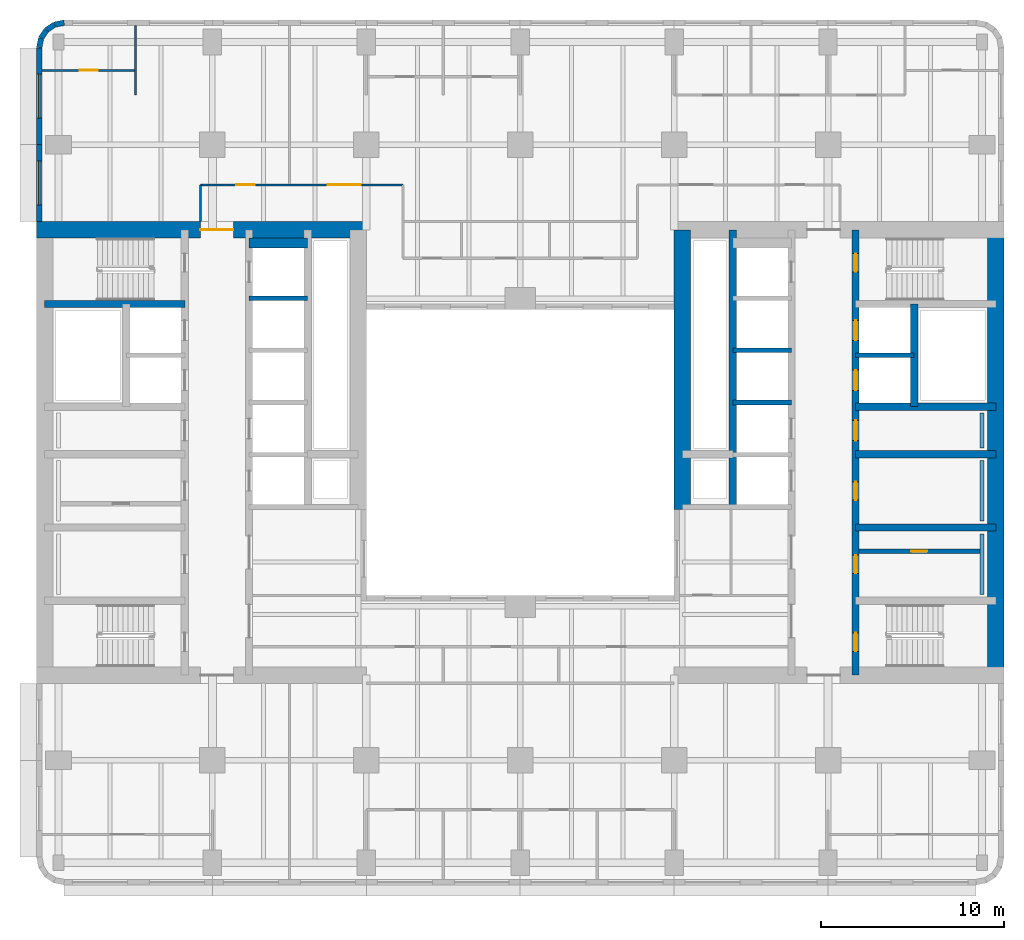
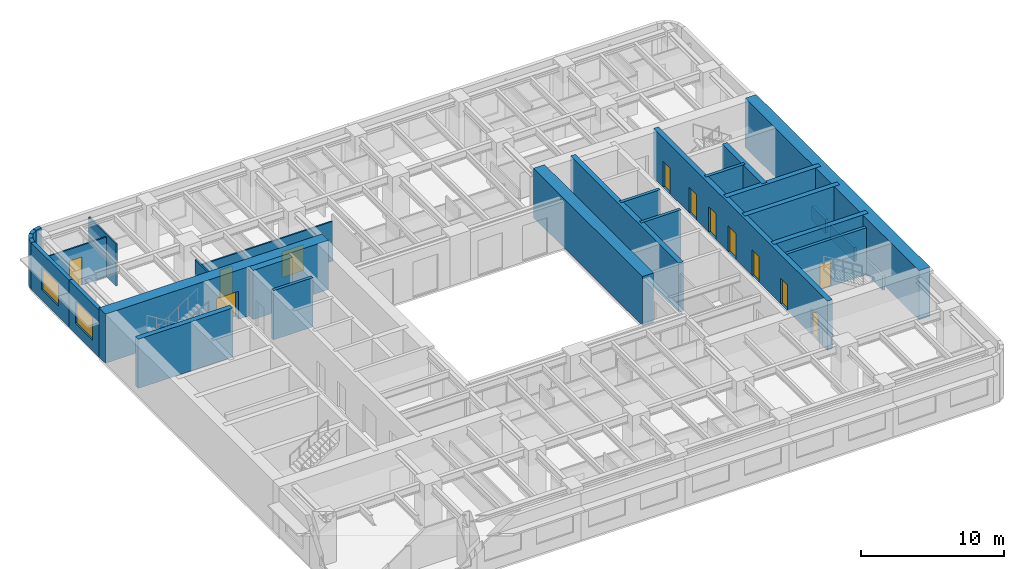
# One storey, part 6 of 11: 29 walls, 12 doors, 2 windows, 14 openings.
"""IFC4 building model written with IfcOpenShell, lengths in metres."""

from ifc_helpers import new_model, si_unit, direction, frame, frame_2d, origin, place, context, subcontext, project, spatial, rectangle, extrude, material, layer, layer_set, type_object, element, fill, save


model = new_model("IFC4")

# Units and contexts
model_context = context("Model", 3, precision=1e-05, world=origin(), true_north=direction((0.0, 1.0)))
body_context = subcontext(model_context, "Body", "Model", "MODEL_VIEW")
ifc_project = project(units=[si_unit("LENGTHUNIT", "METRE"), si_unit("AREAUNIT", "SQUARE_METRE"), si_unit("VOLUMEUNIT", "CUBIC_METRE"), si_unit("PLANEANGLEUNIT", "RADIAN"), si_unit("MASSUNIT", "GRAM", prefix="KILO")], contexts=[model_context])

# Site, building, storey
site_placement = place(None, origin())
site = spatial("IfcSite", under=ifc_project, at=site_placement, CompositionType="ELEMENT")
building_placement = place(site_placement, origin())
building = spatial("IfcBuilding", under=site, at=building_placement, Name="Claustro Exchange Tower", CompositionType="ELEMENT")
storey_placement = place(building_placement, frame((0.0, 0.0, 163.800048828125)))
storey = spatial("IfcBuildingStorey", under=building, at=storey_placement, Name="L37", CompositionType="ELEMENT", Elevation=163.800048828125)

# Wall, opening, door
ifc_material_1 = material(Name="Laminated glass in aluminium frame", Category="aluminium")
ifc_layer_1 = layer(ifc_material_1, 0.1201171875)
ifc_layer_set_1 = layer_set([ifc_layer_1], Name="Laminated glass in aluminium frame")
wall_type_1 = type_object("IfcWallType", Name="P2 120 glazed partition", PredefinedType="PARTITIONING", material=ifc_layer_set_1)
wall_1_placement = place(storey_placement, frame((-0.902099609375, 46.050048828125, 0.0), z_axis=(0.0, 0.0, 1.0), x_axis=(1.0, 0.0, 0.0)))
wall_1 = element("IfcWall", 1, at=wall_1_placement, inside=storey, type_object=wall_type_1, Name="Partition P2 L37", PredefinedType="PARTITIONING", context=body_context, shape_type="SweptSolid", body=[
    extrude(rectangle(XDim=5.044189453125, YDim=0.1201171875, at=frame_2d((2.52197265625, 0.0))), origin(), (0.0, 0.0, 1.0), 3.39990234375),
])
opening_1_placement = place(wall_1_placement, frame((2.052001953125, 0.0, 0.0)))
opening_1 = element("IfcOpeningElement", 2, at=opening_1_placement, cuts=wall_1, Name="Opening D7", PredefinedType="OPENING", context=body_context, shape_type="SweptSolid", body=[
    extrude(rectangle(XDim=1.0, YDim=2.39990234375, at=frame_2d((0.5, 1.199951171875))), frame((0.0, 0.070068359375, 0.0), z_axis=(0.0, -1.0, 0.0), x_axis=(1.0, 0.0, 0.0)), (0.0, 0.0, 1.0), 0.14013671875),
])
ifc_material_2 = material(Name="Glass door in aluminium frame", Category="aluminium")
door_type_1 = type_object("IfcDoorType", Name="D7 1000 x 2400 glazed door", OperationType="SINGLE_SWING_LEFT", PredefinedType="DOOR", material=ifc_material_2)
door_1_placement = place(opening_1_placement, origin())
door_1 = element("IfcDoor", 3, at=door_1_placement, inside=storey, type_object=door_type_1, Name="Door D7 L37", OperationType="SINGLE_SWING_RIGHT", OverallHeight=2.39990234375, OverallWidth=1.0, PredefinedType="DOOR", context=body_context, shape_type="SweptSolid", body=[
    extrude(rectangle(XDim=1.0, YDim=2.39990234375, at=frame_2d((0.5, 1.199951171875))), frame((0.0, 0.02490234375, 0.0), z_axis=(0.0, -1.0, 0.0), x_axis=(1.0, 0.0, 0.0)), (0.0, 0.0, 1.0), 0.050048828125),
])
fill(opening_1, door_1)

# Wall
wall_2_placement = place(storey_placement, frame((4.199951171875, 44.699951171875, 0.0), z_axis=(0.0, 0.0, 1.0), x_axis=(0.0, 1.0, 0.0)))
element("IfcWall", 4, at=wall_2_placement, inside=storey, type_object=wall_type_1, Name="Partition P2 L37", PredefinedType="PARTITIONING", context=body_context, shape_type="SweptSolid", body=[
    extrude(rectangle(XDim=3.802001953125, YDim=0.1201171875, at=frame_2d((1.90087890625, 0.0))), origin(), (0.0, 0.0, 1.0), 3.593017578125),
])

# Wall, openings, doors
wall_3_placement = place(storey_placement, frame((7.75, 39.800048828125, 0.0), z_axis=(0.0, 0.0, 1.0), x_axis=(1.0, 0.0, 0.0)))
wall_3 = element("IfcWall", 5, at=wall_3_placement, inside=storey, type_object=wall_type_1, Name="Partition P2 L37", PredefinedType="PARTITIONING", context=body_context, shape_type="SweptSolid", body=[
    extrude(rectangle(XDim=11.050048828125, YDim=0.1201171875, at=frame_2d((5.52490234375, 0.0))), origin(), (0.0, 0.0, 1.0), 3.39990234375),
])
opening_2_placement = place(wall_3_placement, frame((1.949951171875, 0.0, 0.0)))
opening_2 = element("IfcOpeningElement", 6, at=opening_2_placement, cuts=wall_3, Name="Opening D7", PredefinedType="OPENING", context=body_context, shape_type="SweptSolid", body=[
    extrude(rectangle(XDim=1.0, YDim=2.39990234375, at=frame_2d((0.5, 1.199951171875))), frame((0.0, 0.070068359375, 0.0), z_axis=(0.0, -1.0, 0.0), x_axis=(1.0, 0.0, 0.0)), (0.0, 0.0, 1.0), 0.14013671875),
])
opening_3_placement = place(wall_3_placement, frame((6.949951171875, 0.0, 0.0)))
opening_3 = element("IfcOpeningElement", 7, at=opening_3_placement, cuts=wall_3, Name="Opening D2", PredefinedType="OPENING", context=body_context, shape_type="SweptSolid", body=[
    extrude(rectangle(XDim=1.800048828125, YDim=2.199951171875, at=frame_2d((0.89990234375, 1.10009765625))), frame((0.0, 0.070068359375, 0.0), z_axis=(0.0, -1.0, 0.0), x_axis=(1.0, 0.0, 0.0)), (0.0, 0.0, 1.0), 0.14013671875),
])
ifc_material_3 = material(Name="Timber door, oak veneer", Category="wood")
door_type_2 = type_object("IfcDoorType", Name="D2 1800 x 2200 double door", OperationType="DOUBLE_DOOR_SINGLE_SWING", PredefinedType="DOOR", material=ifc_material_3)
door_2_placement = place(opening_3_placement, origin())
door_2 = element("IfcDoor", 8, at=door_2_placement, inside=storey, type_object=door_type_2, Name="Double door D2 L37", OperationType="DOUBLE_DOOR_SINGLE_SWING", OverallHeight=2.199951171875, OverallWidth=1.800048828125, PredefinedType="DOOR", context=body_context, shape_type="SweptSolid", body=[
    extrude(rectangle(XDim=1.800048828125, YDim=2.199951171875, at=frame_2d((0.89990234375, 1.10009765625))), frame((0.0, 0.02490234375, 0.0), z_axis=(0.0, -1.0, 0.0), x_axis=(1.0, 0.0, 0.0)), (0.0, 0.0, 1.0), 0.050048828125),
])
fill(opening_3, door_2)
door_3_placement = place(opening_2_placement, origin())
door_3 = element("IfcDoor", 9, at=door_3_placement, inside=storey, type_object=door_type_1, Name="Door D7 L37", OperationType="SINGLE_SWING_RIGHT", OverallHeight=2.39990234375, OverallWidth=1.0, PredefinedType="DOOR", context=body_context, shape_type="SweptSolid", body=[
    extrude(rectangle(XDim=1.0, YDim=2.39990234375, at=frame_2d((0.5, 1.199951171875))), frame((0.0, 0.02490234375, 0.0), z_axis=(0.0, -1.0, 0.0), x_axis=(1.0, 0.0, 0.0)), (0.0, 0.0, 1.0), 0.050048828125),
])
fill(opening_2, door_3)

# Wall
wall_4_placement = place(storey_placement, frame((7.75, 37.800048828125, 0.0), z_axis=(0.0, 0.0, 1.0), x_axis=(0.0, 1.0, 0.0)))
element("IfcWall", 10, at=wall_4_placement, inside=storey, type_object=wall_type_1, Name="Partition P2 L37", PredefinedType="PARTITIONING", context=body_context, shape_type="SweptSolid", body=[
    extrude(rectangle(XDim=2.0, YDim=0.1201171875, at=frame_2d((1.0, 0.0))), origin(), (0.0, 0.0, 1.0), 4.0),
])

# Wall, opening, door
ifc_material_4 = material(Name="Concrete blockwork, rendered", Category="masonry")
ifc_layer_2 = layer(ifc_material_4, 0.25)
ifc_layer_set_2 = layer_set([ifc_layer_2], Name="Concrete blockwork, rendered")
wall_type_2 = type_object("IfcWallType", Name="P4 250 blockwork wall", PredefinedType="PARTITIONING", material=ifc_layer_set_2)
wall_5_placement = place(storey_placement, frame((43.699951171875, 19.800048828125, 0.0), z_axis=(0.0, 0.0, 1.0), x_axis=(1.0, 0.0, 0.0)))
wall_5 = element("IfcWall", 11, at=wall_5_placement, inside=storey, type_object=wall_type_2, Name="Partition P4 L37", PredefinedType="PARTITIONING", context=body_context, shape_type="SweptSolid", body=[
    extrude(rectangle(XDim=6.60009765625, YDim=0.25, at=frame_2d((3.300048828125, 0.0))), origin(), (0.0, 0.0, 1.0), 4.0),
])
opening_4_placement = place(wall_5_placement, frame((2.824951171875, 0.0, 0.0)))
opening_4 = element("IfcOpeningElement", 12, at=opening_4_placement, cuts=wall_5, Name="Opening D5", PredefinedType="OPENING", context=body_context, shape_type="SweptSolid", body=[
    extrude(rectangle(XDim=0.89990234375, YDim=2.199951171875, at=frame_2d((0.449951171875, 1.10009765625))), frame((0.0, 0.135009765625, 0.0), z_axis=(0.0, -1.0, 0.0), x_axis=(1.0, 0.0, 0.0)), (0.0, 0.0, 1.0), 0.27001953125),
])
ifc_material_5 = material(Name="Steel door, painted", Category="steel")
door_type_3 = type_object("IfcDoorType", Name="D5 900 x 2200 store door", OperationType="SINGLE_SWING_LEFT", PredefinedType="DOOR", material=ifc_material_5)
door_4_placement = place(opening_4_placement, origin())
door_4 = element("IfcDoor", 13, at=door_4_placement, inside=storey, type_object=door_type_3, Name="Store door D5 L37", OperationType="SINGLE_SWING_RIGHT", OverallHeight=2.199951171875, OverallWidth=0.89990234375, PredefinedType="DOOR", context=body_context, shape_type="SweptSolid", body=[
    extrude(rectangle(XDim=0.89990234375, YDim=2.199951171875, at=frame_2d((0.449951171875, 1.10009765625))), frame((0.0, 0.02490234375, 0.0), z_axis=(0.0, -1.0, 0.0), x_axis=(1.0, 0.0, 0.0)), (0.0, 0.0, 1.0), 0.050048828125),
])
fill(opening_4, door_4)

# Wall, opening, window
ifc_material_6 = material(Name="Concrete HA-40 (C40/50), precast, white cement, acid-etched", Category="concrete")
ifc_layer_3 = layer(ifc_material_6, 0.300048828125)
ifc_layer_set_3 = layer_set([ifc_layer_3], Name="Concrete HA-40 (C40/50), precast, white cement, acid-etched")
wall_type_3 = type_object("IfcWallType", Name="PC1 300 precast concrete pier panel", PredefinedType="SOLIDWALL", material=ifc_layer_set_3)
wall_6_placement = place(storey_placement, frame((-1.050048828125, 37.800048828125, 0.0), z_axis=(0.0, 0.0, 1.0), x_axis=(0.0, 1.0, 0.0)))
wall_6 = element("IfcWall", 14, at=wall_6_placement, inside=storey, type_object=wall_type_3, Name="Precast pier panel PC1 L37", PredefinedType="SOLIDWALL", context=body_context, shape_type="SweptSolid", body=[
    extrude(rectangle(XDim=4.199951171875, YDim=0.300048828125, at=frame_2d((2.10009765625, 0.0))), origin(), (0.0, 0.0, 1.0), 4.0),
])
opening_5_placement = place(wall_6_placement, frame((0.89990234375, 0.0, 0.89990234375)))
opening_5 = element("IfcOpeningElement", 15, at=opening_5_placement, cuts=wall_6, Name="Opening W2", PredefinedType="OPENING", context=body_context, shape_type="SweptSolid", body=[
    extrude(rectangle(XDim=2.39990234375, YDim=1.89990234375, at=frame_2d((1.199951171875, 0.949951171875))), frame((0.0, 0.159912109375, 0.0), z_axis=(0.0, -1.0, 0.0), x_axis=(1.0, 0.0, 0.0)), (0.0, 0.0, 1.0), 0.320068359375),
])
ifc_material_7 = material(Name="Aluminium frame, clear double glazing", Category="aluminium")
window_type = type_object("IfcWindowType", Name="W2 2400 x 1900 window", PartitioningType="SINGLE_PANEL", PredefinedType="WINDOW", material=ifc_material_7)
window_1_placement = place(opening_5_placement, origin())
window_1 = element("IfcWindow", 16, at=window_1_placement, inside=storey, type_object=window_type, Name="Window W2 L37", OverallHeight=1.89990234375, OverallWidth=2.39990234375, PartitioningType="SINGLE_PANEL", PredefinedType="WINDOW", context=body_context, shape_type="SweptSolid", body=[
    extrude(rectangle(XDim=2.39990234375, YDim=1.89990234375, at=frame_2d((1.199951171875, 0.949951171875))), frame((0.0, 0.030029296875, 0.0), z_axis=(0.0, -1.0, 0.0), x_axis=(1.0, 0.0, 0.0)), (0.0, 0.0, 1.0), 0.06005859375),
])
fill(opening_5, window_1)

wall_7_placement = place(storey_placement, frame((-1.050048828125, 42.0, 0.0), z_axis=(0.0, 0.0, 1.0), x_axis=(0.0, 1.0, 0.0)))
wall_7 = element("IfcWall", 17, at=wall_7_placement, inside=storey, type_object=wall_type_3, Name="Precast pier panel PC1 L37", PredefinedType="SOLIDWALL", context=body_context, shape_type="SweptSolid", body=[
    extrude(rectangle(XDim=5.28515625, YDim=0.300048828125, at=frame_2d((2.642578125, 0.0))), origin(), (0.0, 0.0, 1.0), 4.0),
])
opening_6_placement = place(wall_7_placement, frame((1.442626953125, 0.0, 0.89990234375)))
opening_6 = element("IfcOpeningElement", 18, at=opening_6_placement, cuts=wall_7, Name="Opening W2", PredefinedType="OPENING", context=body_context, shape_type="SweptSolid", body=[
    extrude(rectangle(XDim=2.39990234375, YDim=1.89990234375, at=frame_2d((1.199951171875, 0.949951171875))), frame((0.0, 0.159912109375, 0.0), z_axis=(0.0, -1.0, 0.0), x_axis=(1.0, 0.0, 0.0)), (0.0, 0.0, 1.0), 0.320068359375),
])
window_2_placement = place(opening_6_placement, origin())
window_2 = element("IfcWindow", 19, at=window_2_placement, inside=storey, type_object=window_type, Name="Window W2 L37", OverallHeight=1.89990234375, OverallWidth=2.39990234375, PartitioningType="SINGLE_PANEL", PredefinedType="WINDOW", context=body_context, shape_type="SweptSolid", body=[
    extrude(rectangle(XDim=2.39990234375, YDim=1.89990234375, at=frame_2d((1.199951171875, 0.949951171875))), frame((0.0, 0.030029296875, 0.0), z_axis=(0.0, -1.0, 0.0), x_axis=(1.0, 0.0, 0.0)), (0.0, 0.0, 1.0), 0.06005859375),
])
fill(opening_6, window_2)

# Walls
wall_8_placement = place(storey_placement, frame((-1.050048828125, 47.28515625, 0.0), z_axis=(0.0, 0.0, 1.0), x_axis=(0.195073962632, 0.980788534345, 0.0)))
element("IfcWall", 20, at=wall_8_placement, inside=storey, type_object=wall_type_3, Name="Precast pier panel PC1 L37", PredefinedType="SOLIDWALL", context=body_context, shape_type="SweptSolid", body=[
    extrude(rectangle(XDim=0.540771484375, YDim=0.300048828125, at=frame_2d((0.2705078125, 0.0))), origin(), (0.0, 0.0, 1.0), 4.0),
])
wall_9_placement = place(storey_placement, frame((-0.944580078125, 47.8154296875, 0.0), z_axis=(0.0, 0.0, 1.0), x_axis=(0.55534295404, 0.831621430339, 0.0)))
element("IfcWall", 21, at=wall_9_placement, inside=storey, type_object=wall_type_3, Name="Precast pier panel PC1 L37", PredefinedType="SOLIDWALL", context=body_context, shape_type="SweptSolid", body=[
    extrude(rectangle(XDim=0.52587890625, YDim=0.300048828125, at=frame_2d((0.262939453125, 0.0))), origin(), (0.0, 0.0, 1.0), 4.0),
])
wall_10_placement = place(storey_placement, frame((-0.652587890625, 48.252685546875, 0.0), z_axis=(0.0, 0.0, 1.0), x_axis=(0.831692711774, 0.555236195849, 0.0)))
element("IfcWall", 22, at=wall_10_placement, inside=storey, type_object=wall_type_3, Name="Precast pier panel PC1 L37", PredefinedType="SOLIDWALL", context=body_context, shape_type="SweptSolid", body=[
    extrude(rectangle(XDim=0.525390625, YDim=0.300048828125, at=frame_2d((0.2626953125, 0.0))), origin(), (0.0, 0.0, 1.0), 4.0),
])
wall_11_placement = place(storey_placement, frame((-0.215576171875, 48.54443359375, 0.0), z_axis=(0.0, 0.0, 1.0), x_axis=(0.980788534345, 0.195073962632, 0.0)))
element("IfcWall", 23, at=wall_11_placement, inside=storey, type_object=wall_type_3, Name="Precast pier panel PC1 L37", PredefinedType="SOLIDWALL", context=body_context, shape_type="SweptSolid", body=[
    extrude(rectangle(XDim=0.540771484375, YDim=0.300048828125, at=frame_2d((0.2705078125, 0.0))), origin(), (0.0, 0.0, 1.0), 4.0),
])
ifc_material_8 = material(Name="Gypsum board on steel studs, tiled", Category="steel")
ifc_layer_4 = layer(ifc_material_8, 0.199951171875)
ifc_layer_set_4 = layer_set([ifc_layer_4], Name="Gypsum board on steel studs, tiled")
wall_type_4 = type_object("IfcWallType", Name="PW1 200 WC duct wall", PredefinedType="PLUMBINGWALL", material=ifc_layer_set_4)
for number, where, z_axis, x_axis, name in (
    (24, (50.39990234375, 17.449951171875, 0.0), (0.0, 0.0, 1.0), (0.0, 1.0, 0.0), "WC duct wall PW1 L37"),
    (25, (50.39990234375, 21.449951171875, 0.0), (0.0, 0.0, 1.0), (0.0, 1.0, 0.0), "WC duct wall PW1 L37"),
):
    element("IfcWall", number, at=place(storey_placement, frame(where, z_axis=z_axis, x_axis=x_axis)), inside=storey, type_object=wall_type_4, Name=name, PredefinedType="PLUMBINGWALL", context=body_context, shape_type="SweptSolid", body=[
        extrude(rectangle(XDim=3.300048828125, YDim=0.199951171875, at=frame_2d((1.64990234375, 0.0))), origin(), (0.0, 0.0, 1.0), 1.199951171875),
    ])
wall_12_placement = place(storey_placement, frame((50.39990234375, 25.449951171875, 0.0), z_axis=(0.0, 0.0, 1.0), x_axis=(0.0, 1.0, 0.0)))
element("IfcWall", 26, at=wall_12_placement, inside=storey, type_object=wall_type_4, Name="WC duct wall PW1 L37", PredefinedType="PLUMBINGWALL", context=body_context, shape_type="SweptSolid", body=[
    extrude(rectangle(XDim=1.900146484375, YDim=0.199951171875, at=frame_2d((0.9501953125, 0.0))), origin(), (0.0, 0.0, 1.0), 1.199951171875),
])

# Wall, opening, door
ifc_material_9 = material(Name="Concrete HA-70 (C70/85)", Category="concrete")
ifc_layer_5 = layer(ifc_material_9, 0.89990234375)
ifc_layer_set_5 = layer_set([ifc_layer_5], Name="Concrete HA-70 (C70/85)")
wall_type_5 = type_object("IfcWallType", Name="SW1 900 core shear wall", PredefinedType="SHEAR", material=ifc_layer_set_5)
wall_13_placement = place(storey_placement, frame((-1.199951171875, 37.35009765625, 0.0), z_axis=(0.0, 0.0, 1.0), x_axis=(1.0, 0.0, 0.0)))
wall_13 = element("IfcWall", 27, at=wall_13_placement, inside=storey, type_object=wall_type_5, Name="Core wall SW1 W core N face L37", PredefinedType="SHEAR", context=body_context, shape_type="SweptSolid", body=[
    extrude(rectangle(XDim=18.0, YDim=0.89990234375, at=frame_2d((9.0, 0.0))), origin(), (0.0, 0.0, 1.0), 4.199951171875),
])
opening_7_placement = place(wall_13_placement, frame((8.949951171875, 0.0, 0.0)))
opening_7 = element("IfcOpeningElement", 28, at=opening_7_placement, cuts=wall_13, Name="Opening D3", PredefinedType="OPENING", context=body_context, shape_type="SweptSolid", body=[
    extrude(rectangle(XDim=1.800048828125, YDim=2.39990234375, at=frame_2d((0.89990234375, 1.199951171875))), frame((0.0, 0.4599609375, 0.0), z_axis=(0.0, -1.0, 0.0), x_axis=(1.0, 0.0, 0.0)), (0.0, 0.0, 1.0), 0.919921875),
])
ifc_material_10 = material(Name="Steel fire door, painted", Category="steel")
door_type_4 = type_object("IfcDoorType", Name="D3 1800 x 2400 fire-rated lobby double door", OperationType="DOUBLE_DOOR_SINGLE_SWING", PredefinedType="DOOR", material=ifc_material_10)
door_5_placement = place(opening_7_placement, frame((1.800048828125, 0.0, 0.0), z_axis=(0.0, 0.0, 1.0), x_axis=(-1.0, 0.0, 0.0)))
door_5 = element("IfcDoor", 29, at=door_5_placement, inside=storey, type_object=door_type_4, Name="Lift lobby door D3 L37", OperationType="DOUBLE_DOOR_SINGLE_SWING", OverallHeight=2.39990234375, OverallWidth=1.800048828125, PredefinedType="DOOR", context=body_context, shape_type="SweptSolid", body=[
    extrude(rectangle(XDim=1.800048828125, YDim=2.39990234375, at=frame_2d((0.89990234375, 1.199951171875))), frame((0.0, 0.02490234375, 0.0), z_axis=(0.0, -1.0, 0.0), x_axis=(1.0, 0.0, 0.0)), (0.0, 0.0, 1.0), 0.050048828125),
])
fill(opening_7, door_5)

# Walls
ifc_material_11 = material(Name="Concrete HA-70 (C70/85)", Category="concrete")
ifc_layer_6 = layer(ifc_material_11, 0.89990234375)
ifc_layer_set_6 = layer_set([ifc_layer_6], Name="Concrete HA-70 (C70/85)")
wall_type_6 = type_object("IfcWallType", Name="SW1X 900 exposed core shear wall, board-marked face", PredefinedType="SHEAR", material=ifc_layer_set_6)
wall_14_placement = place(storey_placement, frame((34.050048828125, 22.10009765625, 0.0), z_axis=(0.0, 0.0, 1.0), x_axis=(0.0, 1.0, 0.0)))
element("IfcWall", 30, at=wall_14_placement, inside=storey, type_object=wall_type_6, Name="Core wall SW1X E core W face L37", PredefinedType="SHEAR", context=body_context, shape_type="SweptSolid", body=[
    extrude(rectangle(XDim=15.25, YDim=0.89990234375, at=frame_2d((7.625, 0.0))), origin(), (0.0, 0.0, 1.0), 4.199951171875),
])
wall_15_placement = place(storey_placement, frame((51.14990234375, 13.050048828125, 0.0), z_axis=(0.0, 0.0, 1.0), x_axis=(0.0, 1.0, 0.0)))
element("IfcWall", 31, at=wall_15_placement, inside=storey, type_object=wall_type_6, Name="Core wall SW1X E core E face L37", PredefinedType="SHEAR", context=body_context, shape_type="SweptSolid", body=[
    extrude(rectangle(XDim=24.300048828125, YDim=0.89990234375, at=frame_2d((12.14990234375, 0.0))), origin(), (0.0, 0.0, 1.0), 4.199951171875),
])
ifc_material_12 = material(Name="Concrete HA-50 (C50/60)", Category="concrete")
ifc_layer_7 = layer(ifc_material_12, 0.39990234375)
ifc_layer_set_7 = layer_set([ifc_layer_7], Name="Concrete HA-50 (C50/60)")
wall_type_7 = type_object("IfcWallType", Name="SW4 400 internal core wall", PredefinedType="SHEAR", material=ifc_layer_set_7)
wall_16_placement = place(storey_placement, frame((-0.75, 33.300048828125, 0.0), z_axis=(0.0, 0.0, 1.0), x_axis=(1.0, 0.0, 0.0)))
element("IfcWall", 32, at=wall_16_placement, inside=storey, type_object=wall_type_7, Name="Internal core wall SW4 W core L37", PredefinedType="SHEAR", context=body_context, shape_type="SweptSolid", body=[
    extrude(rectangle(XDim=7.64990234375, YDim=0.39990234375, at=frame_2d((3.824951171875, 0.0))), origin(), (0.0, 0.0, 1.0), 4.199951171875),
])

# Wall, openings, doors
wall_17_placement = place(storey_placement, frame((43.5, 13.050048828125, 0.0), z_axis=(0.0, 0.0, 1.0), x_axis=(0.0, 1.0, 0.0)))
wall_17 = element("IfcWall", 33, at=wall_17_placement, inside=storey, type_object=wall_type_7, Name="Internal core wall SW4 E core L37", PredefinedType="SHEAR", context=body_context, shape_type="SweptSolid", body=[
    extrude(rectangle(XDim=24.300048828125, YDim=0.39990234375, at=frame_2d((12.14990234375, 0.0))), origin(), (0.0, 0.0, 1.0), 4.199951171875),
])
opening_8_placement = place(wall_17_placement, frame((1.300048828125, 0.0, 0.0)))
opening_8 = element("IfcOpeningElement", 34, at=opening_8_placement, cuts=wall_17, Name="Opening D4", PredefinedType="OPENING", context=body_context, shape_type="SweptSolid", body=[
    extrude(rectangle(XDim=1.0, YDim=2.199951171875, at=frame_2d((0.5, 1.10009765625))), frame((0.0, 0.2099609375, 0.0), z_axis=(0.0, -1.0, 0.0), x_axis=(1.0, 0.0, 0.0)), (0.0, 0.0, 1.0), 0.419921875),
])
opening_9_placement = place(wall_17_placement, frame((22.0, 0.0, 0.0)))
opening_9 = element("IfcOpeningElement", 35, at=opening_9_placement, cuts=wall_17, Name="Opening D4", PredefinedType="OPENING", context=body_context, shape_type="SweptSolid", body=[
    extrude(rectangle(XDim=1.0, YDim=2.199951171875, at=frame_2d((0.5, 1.10009765625))), frame((0.0, 0.2099609375, 0.0), z_axis=(0.0, -1.0, 0.0), x_axis=(1.0, 0.0, 0.0)), (0.0, 0.0, 1.0), 0.419921875),
])
opening_10_placement = place(wall_17_placement, frame((5.550048828125, 0.0, 0.0)))
opening_10 = element("IfcOpeningElement", 36, at=opening_10_placement, cuts=wall_17, Name="Opening D1", PredefinedType="OPENING", context=body_context, shape_type="SweptSolid", body=[
    extrude(rectangle(XDim=1.0, YDim=2.199951171875, at=frame_2d((0.5, 1.10009765625))), frame((0.0, 0.2099609375, 0.0), z_axis=(0.0, -1.0, 0.0), x_axis=(1.0, 0.0, 0.0)), (0.0, 0.0, 1.0), 0.419921875),
])
opening_11_placement = place(wall_17_placement, frame((9.550048828125, 0.0, 0.0)))
opening_11 = element("IfcOpeningElement", 37, at=opening_11_placement, cuts=wall_17, Name="Opening D1", PredefinedType="OPENING", context=body_context, shape_type="SweptSolid", body=[
    extrude(rectangle(XDim=1.0, YDim=2.199951171875, at=frame_2d((0.5, 1.10009765625))), frame((0.0, 0.2099609375, 0.0), z_axis=(0.0, -1.0, 0.0), x_axis=(1.0, 0.0, 0.0)), (0.0, 0.0, 1.0), 0.419921875),
])
opening_12_placement = place(wall_17_placement, frame((12.800048828125, 0.0, 0.0)))
opening_12 = element("IfcOpeningElement", 38, at=opening_12_placement, cuts=wall_17, Name="Opening D10", PredefinedType="OPENING", context=body_context, shape_type="SweptSolid", body=[
    extrude(rectangle(XDim=1.10009765625, YDim=2.199951171875, at=frame_2d((0.550048828125, 1.10009765625))), frame((0.0, 0.2099609375, 0.0), z_axis=(0.0, -1.0, 0.0), x_axis=(1.0, 0.0, 0.0)), (0.0, 0.0, 1.0), 0.419921875),
])
opening_13_placement = place(wall_17_placement, frame((15.53759765625, 0.0, 0.0)))
opening_13 = element("IfcOpeningElement", 39, at=opening_13_placement, cuts=wall_17, Name="Opening LD", PredefinedType="OPENING", context=body_context, shape_type="SweptSolid", body=[
    extrude(rectangle(XDim=1.10009765625, YDim=2.199951171875, at=frame_2d((0.550048828125, 1.10009765625))), frame((0.0, 0.2099609375, 0.0), z_axis=(0.0, -1.0, 0.0), x_axis=(1.0, 0.0, 0.0)), (0.0, 0.0, 1.0), 0.419921875),
])
opening_14_placement = place(wall_17_placement, frame((18.262451171875, 0.0, 0.0)))
opening_14 = element("IfcOpeningElement", 40, at=opening_14_placement, cuts=wall_17, Name="Opening LD", PredefinedType="OPENING", context=body_context, shape_type="SweptSolid", body=[
    extrude(rectangle(XDim=1.10009765625, YDim=2.199951171875, at=frame_2d((0.550048828125, 1.10009765625))), frame((0.0, 0.2099609375, 0.0), z_axis=(0.0, -1.0, 0.0), x_axis=(1.0, 0.0, 0.0)), (0.0, 0.0, 1.0), 0.419921875),
])
ifc_material_13 = material(Name="Timber door, oak veneer", Category="wood")
door_type_5 = type_object("IfcDoorType", Name="D1 1000 x 2200 single door", OperationType="SINGLE_SWING_LEFT", PredefinedType="DOOR", material=ifc_material_13)
door_6_placement = place(opening_10_placement, frame((1.0, 0.0, 0.0), z_axis=(0.0, 0.0, 1.0), x_axis=(-1.0, 0.0, 0.0)))
door_6 = element("IfcDoor", 41, at=door_6_placement, inside=storey, type_object=door_type_5, Name="Door D1 L37", OperationType="SINGLE_SWING_LEFT", OverallHeight=2.199951171875, OverallWidth=1.0, PredefinedType="DOOR", context=body_context, shape_type="SweptSolid", body=[
    extrude(rectangle(XDim=1.0, YDim=2.199951171875, at=frame_2d((0.5, 1.10009765625))), frame((0.0, 0.02490234375, 0.0), z_axis=(0.0, -1.0, 0.0), x_axis=(1.0, 0.0, 0.0)), (0.0, 0.0, 1.0), 0.050048828125),
])
fill(opening_10, door_6)
door_7_placement = place(opening_11_placement, frame((1.0, 0.0, 0.0), z_axis=(0.0, 0.0, 1.0), x_axis=(-1.0, 0.0, 0.0)))
door_7 = element("IfcDoor", 42, at=door_7_placement, inside=storey, type_object=door_type_5, Name="Door D1 L37", OperationType="SINGLE_SWING_LEFT", OverallHeight=2.199951171875, OverallWidth=1.0, PredefinedType="DOOR", context=body_context, shape_type="SweptSolid", body=[
    extrude(rectangle(XDim=1.0, YDim=2.199951171875, at=frame_2d((0.5, 1.10009765625))), frame((0.0, 0.02490234375, 0.0), z_axis=(0.0, -1.0, 0.0), x_axis=(1.0, 0.0, 0.0)), (0.0, 0.0, 1.0), 0.050048828125),
])
fill(opening_11, door_7)
ifc_material_14 = material(Name="Timber door, oak veneer", Category="wood")
door_type_6 = type_object("IfcDoorType", Name="D10 1100 x 2200 accessible WC door", OperationType="SINGLE_SWING_LEFT", PredefinedType="DOOR", material=ifc_material_14)
door_8_placement = place(opening_12_placement, origin())
door_8 = element("IfcDoor", 43, at=door_8_placement, inside=storey, type_object=door_type_6, Name="Accessible WC door D10 L37", OperationType="SINGLE_SWING_RIGHT", OverallHeight=2.199951171875, OverallWidth=1.10009765625, PredefinedType="DOOR", context=body_context, shape_type="SweptSolid", body=[
    extrude(rectangle(XDim=1.10009765625, YDim=2.199951171875, at=frame_2d((0.550048828125, 1.10009765625))), frame((0.0, 0.02490234375, 0.0), z_axis=(0.0, -1.0, 0.0), x_axis=(1.0, 0.0, 0.0)), (0.0, 0.0, 1.0), 0.050048828125),
])
fill(opening_12, door_8)
ifc_material_15 = material(Name="Steel fire door, painted", Category="steel")
door_type_7 = type_object("IfcDoorType", Name="D4 1000 x 2200 fire-rated stair door", OperationType="SINGLE_SWING_LEFT", PredefinedType="DOOR", material=ifc_material_15)
door_9_placement = place(opening_8_placement, frame((1.0, 0.0, 0.0), z_axis=(0.0, 0.0, 1.0), x_axis=(-1.0, 0.0, 0.0)))
door_9 = element("IfcDoor", 44, at=door_9_placement, inside=storey, type_object=door_type_7, Name="Stair door D4 L37", OperationType="SINGLE_SWING_RIGHT", OverallHeight=2.199951171875, OverallWidth=1.0, PredefinedType="DOOR", context=body_context, shape_type="SweptSolid", body=[
    extrude(rectangle(XDim=1.0, YDim=2.199951171875, at=frame_2d((0.5, 1.10009765625))), frame((0.0, 0.02490234375, 0.0), z_axis=(0.0, -1.0, 0.0), x_axis=(1.0, 0.0, 0.0)), (0.0, 0.0, 1.0), 0.050048828125),
])
fill(opening_8, door_9)
door_10_placement = place(opening_9_placement, frame((1.0, 0.0, 0.0), z_axis=(0.0, 0.0, 1.0), x_axis=(-1.0, 0.0, 0.0)))
door_10 = element("IfcDoor", 45, at=door_10_placement, inside=storey, type_object=door_type_7, Name="Stair door D4 L37", OperationType="SINGLE_SWING_LEFT", OverallHeight=2.199951171875, OverallWidth=1.0, PredefinedType="DOOR", context=body_context, shape_type="SweptSolid", body=[
    extrude(rectangle(XDim=1.0, YDim=2.199951171875, at=frame_2d((0.5, 1.10009765625))), frame((0.0, 0.02490234375, 0.0), z_axis=(0.0, -1.0, 0.0), x_axis=(1.0, 0.0, 0.0)), (0.0, 0.0, 1.0), 0.050048828125),
])
fill(opening_9, door_10)
ifc_material_16 = material(Name="Stainless steel sliding door", Category="steel")
door_type_8 = type_object("IfcDoorType", Name="LD 1100 x 2200 lift landing door", OperationType="DOUBLE_DOOR_SLIDING", PredefinedType="DOOR", material=ifc_material_16)
door_11_placement = place(opening_13_placement, origin())
door_11 = element("IfcDoor", 46, at=door_11_placement, inside=storey, type_object=door_type_8, Name="Lift landing door LEE1 LD L37", OperationType="DOUBLE_DOOR_SLIDING", OverallHeight=2.199951171875, OverallWidth=1.10009765625, PredefinedType="DOOR", context=body_context, shape_type="SweptSolid", body=[
    extrude(rectangle(XDim=1.10009765625, YDim=2.199951171875, at=frame_2d((0.550048828125, 1.10009765625))), frame((0.0, 0.02490234375, 0.0), z_axis=(0.0, -1.0, 0.0), x_axis=(1.0, 0.0, 0.0)), (0.0, 0.0, 1.0), 0.050048828125),
])
fill(opening_13, door_11)
door_12_placement = place(opening_14_placement, origin())
door_12 = element("IfcDoor", 47, at=door_12_placement, inside=storey, type_object=door_type_8, Name="Lift landing door LEE2 LD L37", OperationType="DOUBLE_DOOR_SLIDING", OverallHeight=2.199951171875, OverallWidth=1.10009765625, PredefinedType="DOOR", context=body_context, shape_type="SweptSolid", body=[
    extrude(rectangle(XDim=1.10009765625, YDim=2.199951171875, at=frame_2d((0.550048828125, 1.10009765625))), frame((0.0, 0.02490234375, 0.0), z_axis=(0.0, -1.0, 0.0), x_axis=(1.0, 0.0, 0.0)), (0.0, 0.0, 1.0), 0.050048828125),
])
fill(opening_14, door_12)

# Walls
wall_18_placement = place(storey_placement, frame((36.800048828125, 22.22509765625, 0.0), z_axis=(0.0, 0.0, 1.0), x_axis=(0.0, 1.0, 0.0)))
element("IfcWall", 48, at=wall_18_placement, inside=storey, type_object=wall_type_7, Name="Internal core wall SW4 E core L37", PredefinedType="SHEAR", context=body_context, shape_type="SweptSolid", body=[
    extrude(rectangle(XDim=15.125, YDim=0.39990234375, at=frame_2d((7.5625, 0.0))), origin(), (0.0, 0.0, 1.0), 4.199951171875),
])
for number, where, z_axis, x_axis, name in (
    (49, (51.14990234375, 21.10009765625, 0.0), (0.0, 0.0, 1.0), (-1.0, 0.0, 0.0), "Internal core wall SW4 E core L37"),
    (50, (51.14990234375, 25.10009765625, 0.0), (0.0, 0.0, 1.0), (-1.0, 0.0, 0.0), "Internal core wall SW4 E core L37"),
    (51, (51.14990234375, 27.699951171875, 0.0), (0.0, 0.0, 1.0), (-1.0, 0.0, 0.0), "Internal core wall SW4 E core L37"),
):
    element("IfcWall", number, at=place(storey_placement, frame(where, z_axis=z_axis, x_axis=x_axis)), inside=storey, type_object=wall_type_7, Name=name, PredefinedType="SHEAR", context=body_context, shape_type="SweptSolid", body=[
        extrude(rectangle(XDim=7.64990234375, YDim=0.39990234375, at=frame_2d((3.824951171875, 0.0))), origin(), (0.0, 0.0, 1.0), 4.199951171875),
    ])
wall_19_placement = place(storey_placement, frame((46.699951171875, 27.699951171875, 0.0), z_axis=(0.0, 0.0, 1.0), x_axis=(0.0, 1.0, 0.0)))
element("IfcWall", 52, at=wall_19_placement, inside=storey, type_object=wall_type_7, Name="Internal core wall SW4 E core L37", PredefinedType="SHEAR", context=body_context, shape_type="SweptSolid", body=[
    extrude(rectangle(XDim=5.60009765625, YDim=0.39990234375, at=frame_2d((2.800048828125, 0.0))), origin(), (0.0, 0.0, 1.0), 4.199951171875),
])
ifc_material_17 = material(Name="Concrete HA-50 (C50/60)", Category="concrete")
ifc_layer_8 = layer(ifc_material_17, 0.25)
ifc_layer_set_8 = layer_set([ifc_layer_8], Name="Concrete HA-50 (C50/60)")
wall_type_8 = type_object("IfcWallType", Name="SW5 250 lift shaft divider wall", PredefinedType="SHEAR", material=ifc_layer_set_8)
wall_20_placement = place(storey_placement, frame((10.39990234375, 33.625, 0.0), z_axis=(0.0, 0.0, 1.0), x_axis=(1.0, 0.0, 0.0)))
element("IfcWall", 53, at=wall_20_placement, inside=storey, type_object=wall_type_8, Name="Lift shaft wall W core L37", PredefinedType="SHEAR", context=body_context, shape_type="SweptSolid", body=[
    extrude(rectangle(XDim=3.2001953125, YDim=0.25, at=frame_2d((1.60009765625, 0.0))), origin(), (0.0, 0.0, 1.0), 4.199951171875),
])
for number, where, z_axis, x_axis, name in (
    (54, (46.699951171875, 30.5, 0.0), (0.0, 0.0, 1.0), (-1.0, 0.0, 0.0), "Lift shaft wall E core L37"),
    (55, (40.0, 27.925048828125, 0.0), (0.0, 0.0, 1.0), (-1.0, 0.0, 0.0), "Lift shaft wall E core L37"),
    (56, (40.0, 30.77490234375, 0.0), (0.0, 0.0, 1.0), (-1.0, 0.0, 0.0), "Lift shaft wall E core L37"),
):
    element("IfcWall", number, at=place(storey_placement, frame(where, z_axis=z_axis, x_axis=x_axis)), inside=storey, type_object=wall_type_8, Name=name, PredefinedType="SHEAR", context=body_context, shape_type="SweptSolid", body=[
        extrude(rectangle(XDim=3.199951171875, YDim=0.25, at=frame_2d((1.60009765625, 0.0))), origin(), (0.0, 0.0, 1.0), 4.199951171875),
    ])
ifc_material_18 = material(Name="Concrete HA-50 (C50/60)", Category="concrete")
ifc_layer_9 = layer(ifc_material_18, 0.550048828125)
ifc_layer_set_9 = layer_set([ifc_layer_9], Name="Concrete HA-50 (C50/60)")
wall_type_9 = type_object("IfcWallType", Name="SW6 550 lift shaft end wall", PredefinedType="SHEAR", material=ifc_layer_set_9)
wall_21_placement = place(storey_placement, frame((10.39990234375, 36.625, 0.0), z_axis=(0.0, 0.0, 1.0), x_axis=(1.0, 0.0, 0.0)))
element("IfcWall", 57, at=wall_21_placement, inside=storey, type_object=wall_type_9, Name="Lift shaft wall W core L37", PredefinedType="SHEAR", context=body_context, shape_type="SweptSolid", body=[
    extrude(rectangle(XDim=3.2001953125, YDim=0.550048828125, at=frame_2d((1.60009765625, 0.0))), origin(), (0.0, 0.0, 1.0), 4.199951171875),
])

save(model, "model.ifc")
